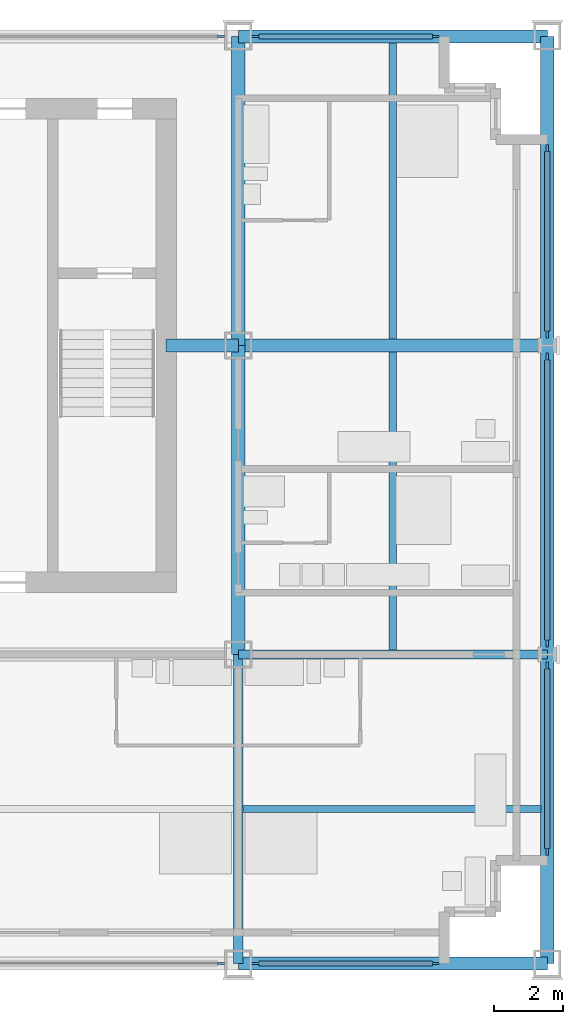
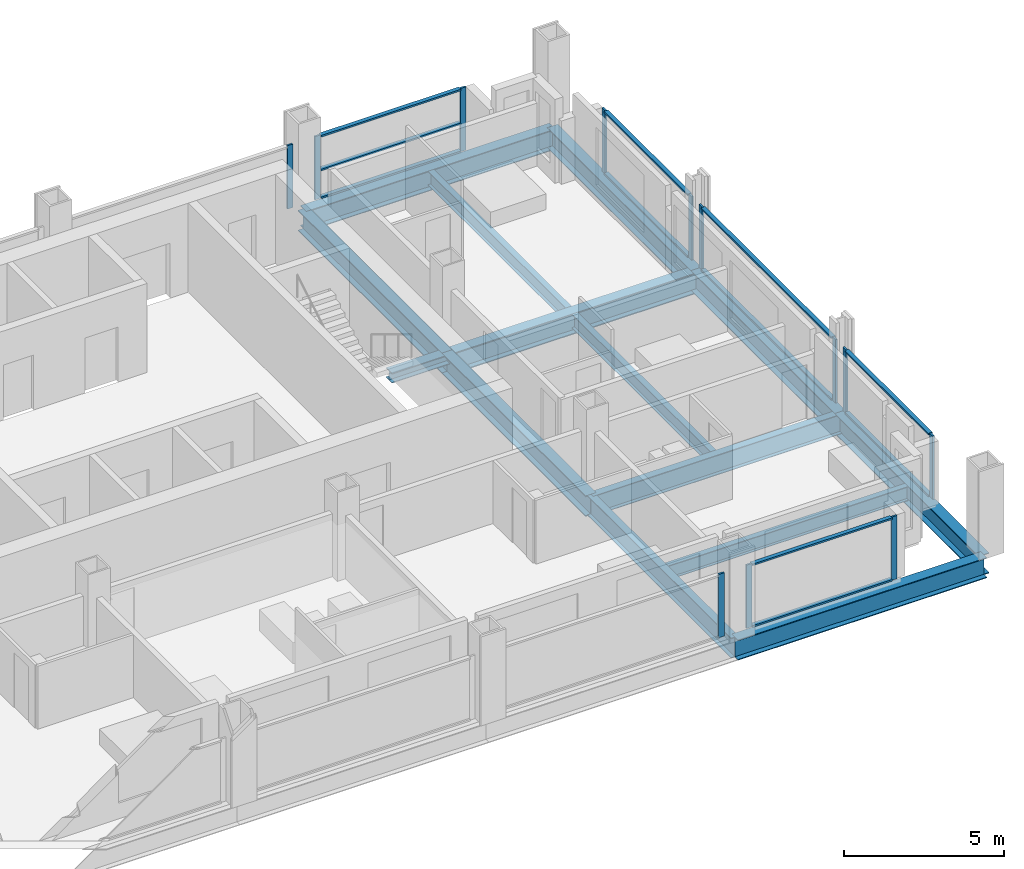
# One storey, part 5 of 13: 24 members, 13 beams, 7 elements without a shape of their own.
"""IFC4 building model written with IfcOpenShell, lengths in metres."""

from ifc_helpers import new_model, si_unit, direction, frame, origin, origin_2d, place, context, subcontext, project, spatial, rectangle, i_section, extrude, material, material_profile, profile_set, type_object, element, aggregate, save


model = new_model("IFC4")

# Units and contexts
model_context = context("Model", 3, precision=1e-05, world=origin(), true_north=direction((0.0, 1.0)))
body_context = subcontext(model_context, "Body", "Model", "MODEL_VIEW")
ifc_project = project(units=[si_unit("LENGTHUNIT", "METRE"), si_unit("AREAUNIT", "SQUARE_METRE"), si_unit("VOLUMEUNIT", "CUBIC_METRE"), si_unit("PLANEANGLEUNIT", "RADIAN"), si_unit("MASSUNIT", "GRAM", prefix="KILO")], contexts=[model_context])

# Site, building, storey
site_placement = place(None, origin())
site = spatial("IfcSite", under=ifc_project, at=site_placement, CompositionType="ELEMENT")
building_placement = place(site_placement, origin())
building = spatial("IfcBuilding", under=site, at=building_placement, Name="Loomwork Tower", CompositionType="ELEMENT")
storey_placement = place(building_placement, frame((0.0, 0.0, 174.0)))
storey = spatial("IfcBuildingStorey", under=building, at=storey_placement, Name="L47", CompositionType="ELEMENT", Elevation=174.0)

# Beams
ifc_material_1 = material(Name="Steel ASTM A992", Category="steel")
ifc_material_profile_1 = material_profile(ifc_material_1, i_section(OverallWidth=0.383544921875, OverallDepth=0.794921875, WebThickness=0.02099609375, FlangeThickness=0.0380859375, at=origin_2d()), Name="W30x235")
ifc_profile_set_1 = profile_set([ifc_material_profile_1], Name="Steel ASTM A992")
beam_type_1 = type_object("IfcBeamType", Name="CORE FLANK GIRDER W30x235", PredefinedType="BEAM", material=ifc_profile_set_1)
for number, where, z_axis, x_axis, name in (
    (1, (36.0, 18.0, -0.597412109375), (1.0, 0.0, 0.0), (0.0, 1.0, 0.0), "Core Flank Girder F/6-F/7 L47"),
    (2, (36.0, 9.0, -0.597412109375), (0.0, 1.0, 0.0), (-1.0, 0.0, 0.0), "Core Flank Girder E/6-F/6 L47"),
    (3, (36.0, 18.0, -0.597412109375), (0.0, 1.0, 0.0), (-1.0, 0.0, 0.0), "Core Flank Girder F/6-G/6 L47"),
):
    element("IfcBeam", number, at=place(storey_placement, frame(where, z_axis=z_axis, x_axis=x_axis)), inside=storey, type_object=beam_type_1, Name=name, PredefinedType="BEAM", context=body_context, shape_type="SweptSolid", body=[
        extrude(i_section(OverallWidth=0.383544921875, OverallDepth=0.794921875, WebThickness=0.02099609375, FlangeThickness=0.0380859375, at=origin_2d()), origin(), (0.0, 0.0, 1.0), 9.0),
    ])

# Member
ifc_material_2 = material(Name="Steel ASTM A992", Category="steel")
ifc_material_profile_2 = material_profile(ifc_material_2, i_section(OverallWidth=0.373291015625, OverallDepth=0.373291015625, WebThickness=0.016357421875, FlangeThickness=0.026123046875, at=origin_2d()), Name="W14x132")
ifc_profile_set_2 = profile_set([ifc_material_profile_2], Name="Steel ASTM A992")
member_type_1 = type_object("IfcMemberType", Name="CORE LINK STRUT W14x132", PredefinedType="STRUT", material=ifc_profile_set_2)
member_1_placement = place(storey_placement, frame((36.0, 18.0, -0.38671875), z_axis=(-1.0, 0.0, 0.0), x_axis=(0.0, -1.0, 0.0)))
element("IfcMember", 4, at=member_1_placement, inside=storey, type_object=member_type_1, Name="Core link strut F/6-33.900,18.000 L47", PredefinedType="STRUT", context=body_context, shape_type="SweptSolid", body=[
    extrude(i_section(OverallWidth=0.373291015625, OverallDepth=0.373291015625, WebThickness=0.016357421875, FlangeThickness=0.026123046875, at=origin_2d()), origin(), (0.0, 0.0, 1.0), 2.10009765625),
])

# Beams
ifc_material_3 = material(Name="Steel ASTM A992", Category="steel")
ifc_material_profile_3 = material_profile(ifc_material_3, i_section(OverallWidth=0.2666015625, OverallDepth=0.761962890625, WebThickness=0.014404296875, FlangeThickness=0.021484375, at=origin_2d()), Name="W30x116")
ifc_profile_set_3 = profile_set([ifc_material_profile_3], Name="Steel ASTM A992")
beam_type_2 = type_object("IfcBeamType", Name="FLOOR GIRDER W30x116", PredefinedType="BEAM", material=ifc_profile_set_3)
for number, where, z_axis, x_axis, name in (
    (5, (36.0, 9.0, -0.5810546875), (1.0, 0.0, 0.0), (0.0, 1.0, 0.0), "Floor Girder E/6-E/7 L47"),
    (6, (36.0, 0.0, -0.5810546875), (0.0, 1.0, 0.0), (-1.0, 0.0, 0.0), "Floor Girder D/6-E/6 L47"),
):
    element("IfcBeam", number, at=place(storey_placement, frame(where, z_axis=z_axis, x_axis=x_axis)), inside=storey, type_object=beam_type_2, Name=name, PredefinedType="BEAM", context=body_context, shape_type="SweptSolid", body=[
        extrude(i_section(OverallWidth=0.2666015625, OverallDepth=0.761962890625, WebThickness=0.014404296875, FlangeThickness=0.021484375, at=origin_2d()), origin(), (0.0, 0.0, 1.0), 9.0),
    ])
ifc_material_4 = material(Name="Steel ASTM A992", Category="steel")
ifc_material_profile_4 = material_profile(ifc_material_4, i_section(OverallWidth=0.2109375, OverallDepth=0.53857421875, WebThickness=0.011474609375, FlangeThickness=0.018798828125, at=origin_2d()), Name="W21x73")
ifc_profile_set_4 = profile_set([ifc_material_profile_4], Name="Steel ASTM A992")
beam_type_3 = type_object("IfcBeamType", Name="FLOOR JOIST W21x73", PredefinedType="JOIST", material=ifc_profile_set_4)
beam_1_placement = place(storey_placement, frame((36.133056640625, 4.5, -0.46923828125), z_axis=(1.0, 0.0, 0.0), x_axis=(0.0, 1.0, 0.0)))
element("IfcBeam", 7, at=beam_1_placement, inside=storey, type_object=beam_type_3, Name="Floor Joist 36.000,4.500-45.000,4.500 L47", PredefinedType="JOIST", context=body_context, shape_type="SweptSolid", body=[
    extrude(i_section(OverallWidth=0.2109375, OverallDepth=0.53857421875, WebThickness=0.011474609375, FlangeThickness=0.018798828125, at=origin_2d()), origin(), (0.0, 0.0, 1.0), 8.677001953125),
])
beam_2_placement = place(storey_placement, frame((40.5, 9.133056640625, -0.46923828125), z_axis=(0.0, 1.0, 0.0), x_axis=(-1.0, 0.0, 0.0)))
element("IfcBeam", 8, at=beam_2_placement, inside=storey, type_object=beam_type_3, Name="Floor Joist 40.500,9.000-40.500,18.000 L47", PredefinedType="JOIST", context=body_context, shape_type="SweptSolid", body=[
    extrude(i_section(OverallWidth=0.2109375, OverallDepth=0.53857421875, WebThickness=0.011474609375, FlangeThickness=0.018798828125, at=origin_2d()), origin(), (0.0, 0.0, 1.0), 8.676025390625),
])
beam_3_placement = place(storey_placement, frame((40.5, 18.19091796875, -0.46923828125), z_axis=(0.0, 1.0, 0.0), x_axis=(-1.0, 0.0, 0.0)))
element("IfcBeam", 9, at=beam_3_placement, inside=storey, type_object=beam_type_3, Name="Floor Joist 40.500,18.000-40.500,27.000 L47", PredefinedType="JOIST", context=body_context, shape_type="SweptSolid", body=[
    extrude(i_section(OverallWidth=0.2109375, OverallDepth=0.53857421875, WebThickness=0.011474609375, FlangeThickness=0.018798828125, at=origin_2d()), origin(), (0.0, 0.0, 1.0), 8.619140625),
])

# Curtain wall, member
ifc_material_5 = material(Name="Aluminium curtain wall frame", Category="aluminium")
curtain_wall_type_1 = type_object("IfcCurtainWallType", Name="Outer skin glazing hotel", PredefinedType="NOTDEFINED", material=ifc_material_5)
curtain_wall_1_placement = place(storey_placement, origin())
curtain_wall_1 = element("IfcCurtainWall", 10, at=curtain_wall_1_placement, inside=storey, type_object=curtain_wall_type_1, Name="Outer skin glazing hotel cw/S-27", PredefinedType="NOTDEFINED")
ifc_material_6 = material(Name="Aluminium curtain wall frame", Category="aluminium")
ifc_material_profile_5 = material_profile(ifc_material_6, rectangle(XDim=0.06494140625, YDim=0.199951171875, at=origin_2d()), Name="AL 65x200")
ifc_profile_set_5 = profile_set([ifc_material_profile_5], Name="Aluminium curtain wall frame")
member_type_2 = type_object("IfcMemberType", Name="Outer skin glazing hotel mullion", PredefinedType="MULLION", material=ifc_profile_set_5)
member_2_placement = place(storey_placement, frame((35.5, 0.0, 0.0), z_axis=(0.0, 0.0, 1.0), x_axis=(0.0, 1.0, 0.0)))
member_2 = element("IfcMember", 11, at=member_2_placement, type_object=member_type_2, Name="CW1 mullion 2", PredefinedType="MULLION", context=body_context, shape_type="SweptSolid", body=[
    extrude(rectangle(XDim=0.06494140625, YDim=0.199951171875, at=origin_2d()), origin(), (0.0, 0.0, 1.0), 2.420166015625),
])
aggregate(curtain_wall_1, [member_2])

# Curtain wall, members
curtain_wall_2_placement = place(storey_placement, origin())
curtain_wall_2 = element("IfcCurtainWall", 12, at=curtain_wall_2_placement, inside=storey, type_object=curtain_wall_type_1, Name="Outer skin glazing hotel cw/S-36", PredefinedType="NOTDEFINED")
member_3_placement = place(storey_placement, frame((36.5, 0.0, 0.0), z_axis=(0.0, 0.0, 1.0), x_axis=(0.0, 1.0, 0.0)))
member_3 = element("IfcMember", 13, at=member_3_placement, type_object=member_type_2, Name="CW1 mullion 1", PredefinedType="MULLION", context=body_context, shape_type="SweptSolid", body=[
    extrude(rectangle(XDim=0.06494140625, YDim=0.199951171875, at=origin_2d()), origin(), (0.0, 0.0, 1.0), 2.420166015625),
])
member_4_placement = place(storey_placement, frame((41.75, 0.0, 0.0), z_axis=(0.0, 0.0, 1.0), x_axis=(0.0, 1.0, 0.0)))
member_4 = element("IfcMember", 14, at=member_4_placement, type_object=member_type_2, Name="CW1 mullion 2", PredefinedType="MULLION", context=body_context, shape_type="SweptSolid", body=[
    extrude(rectangle(XDim=0.06494140625, YDim=0.199951171875, at=origin_2d()), origin(), (0.0, 0.0, 1.0), 2.420166015625),
])

curtain_wall_3_placement = place(storey_placement, origin())
curtain_wall_3 = element("IfcCurtainWall", 15, at=curtain_wall_3_placement, inside=storey, type_object=curtain_wall_type_1, Name="Outer skin glazing hotel cw/E-0", PredefinedType="NOTDEFINED")
member_5_placement = place(storey_placement, frame((45.0, 3.25, 0.0), z_axis=(0.0, 0.0, 1.0), x_axis=(-1.0, 0.0, 0.0)))
member_5 = element("IfcMember", 16, at=member_5_placement, type_object=member_type_2, Name="CW1 mullion 1", PredefinedType="MULLION", context=body_context, shape_type="SweptSolid", body=[
    extrude(rectangle(XDim=0.06494140625, YDim=0.199951171875, at=origin_2d()), origin(), (0.0, 0.0, 1.0), 2.420166015625),
])
member_6_placement = place(storey_placement, frame((45.0, 8.67529296875, 0.0), z_axis=(0.0, 0.0, 1.0), x_axis=(-1.0, 0.0, 0.0)))
member_6 = element("IfcMember", 17, at=member_6_placement, type_object=member_type_2, Name="CW1 mullion 2", PredefinedType="MULLION", context=body_context, shape_type="SweptSolid", body=[
    extrude(rectangle(XDim=0.06494140625, YDim=0.199951171875, at=origin_2d()), origin(), (0.0, 0.0, 1.0), 2.420166015625),
])

curtain_wall_4_placement = place(storey_placement, origin())
curtain_wall_4 = element("IfcCurtainWall", 18, at=curtain_wall_4_placement, inside=storey, type_object=curtain_wall_type_1, Name="Outer skin glazing hotel cw/E-9", PredefinedType="NOTDEFINED")
member_7_placement = place(storey_placement, frame((45.0, 9.32470703125, 0.0), z_axis=(0.0, 0.0, 1.0), x_axis=(-1.0, 0.0, 0.0)))
member_7 = element("IfcMember", 19, at=member_7_placement, type_object=member_type_2, Name="CW1 mullion 1", PredefinedType="MULLION", context=body_context, shape_type="SweptSolid", body=[
    extrude(rectangle(XDim=0.06494140625, YDim=0.199951171875, at=origin_2d()), origin(), (0.0, 0.0, 1.0), 2.420166015625),
])
member_8_placement = place(storey_placement, frame((45.0, 17.67529296875, 0.0), z_axis=(0.0, 0.0, 1.0), x_axis=(-1.0, 0.0, 0.0)))
member_8 = element("IfcMember", 20, at=member_8_placement, type_object=member_type_2, Name="CW1 mullion 2", PredefinedType="MULLION", context=body_context, shape_type="SweptSolid", body=[
    extrude(rectangle(XDim=0.06494140625, YDim=0.199951171875, at=origin_2d()), origin(), (0.0, 0.0, 1.0), 2.420166015625),
])

curtain_wall_5_placement = place(storey_placement, origin())
curtain_wall_5 = element("IfcCurtainWall", 21, at=curtain_wall_5_placement, inside=storey, type_object=curtain_wall_type_1, Name="Outer skin glazing hotel cw/E-18", PredefinedType="NOTDEFINED")
member_9_placement = place(storey_placement, frame((45.0, 18.32470703125, 0.0), z_axis=(0.0, 0.0, 1.0), x_axis=(-1.0, 0.0, 0.0)))
member_9 = element("IfcMember", 22, at=member_9_placement, type_object=member_type_2, Name="CW1 mullion 1", PredefinedType="MULLION", context=body_context, shape_type="SweptSolid", body=[
    extrude(rectangle(XDim=0.06494140625, YDim=0.199951171875, at=origin_2d()), origin(), (0.0, 0.0, 1.0), 2.420166015625),
])
member_10_placement = place(storey_placement, frame((45.0, 23.75, 0.0), z_axis=(0.0, 0.0, 1.0), x_axis=(-1.0, 0.0, 0.0)))
member_10 = element("IfcMember", 23, at=member_10_placement, type_object=member_type_2, Name="CW1 mullion 2", PredefinedType="MULLION", context=body_context, shape_type="SweptSolid", body=[
    extrude(rectangle(XDim=0.06494140625, YDim=0.199951171875, at=origin_2d()), origin(), (0.0, 0.0, 1.0), 2.420166015625),
])

# Member
ifc_material_7 = material(Name="Aluminium curtain wall frame", Category="aluminium")
ifc_material_profile_6 = material_profile(ifc_material_7, rectangle(XDim=0.14990234375, YDim=0.06494140625, at=origin_2d()), Name="AL 65x150")
ifc_profile_set_6 = profile_set([ifc_material_profile_6], Name="Aluminium curtain wall frame")
member_type_3 = type_object("IfcMemberType", Name="Outer skin glazing hotel transom", PredefinedType="USERDEFINED", material=ifc_profile_set_6)
member_11_placement = place(storey_placement, frame((36.60009765625, 0.0, 0.032470703125), z_axis=(1.0, 0.0, 0.0), x_axis=(0.0, 1.0, 0.0)))
member_11 = element("IfcMember", 24, at=member_11_placement, type_object=member_type_3, Name="CW1 transom 1.1", ObjectType="TRANSOM", PredefinedType="USERDEFINED", context=body_context, shape_type="SweptSolid", body=[
    extrude(rectangle(XDim=0.14990234375, YDim=0.06494140625, at=origin_2d()), origin(), (0.0, 0.0, 1.0), 5.0498046875),
])

member_12_placement = place(storey_placement, frame((36.60009765625, 0.0, 2.3876953125), z_axis=(1.0, 0.0, 0.0), x_axis=(0.0, 1.0, 0.0)))
member_12 = element("IfcMember", 25, at=member_12_placement, type_object=member_type_3, Name="CW1 transom 1.2", ObjectType="TRANSOM", PredefinedType="USERDEFINED", context=body_context, shape_type="SweptSolid", body=[
    extrude(rectangle(XDim=0.14990234375, YDim=0.06494140625, at=origin_2d()), origin(), (0.0, 0.0, 1.0), 5.0498046875),
])

aggregate(curtain_wall_2, [member_3, member_4, member_11, member_12])

member_13_placement = place(storey_placement, frame((45.0, 3.35009765625, 0.032470703125), z_axis=(0.0, 1.0, 0.0), x_axis=(-1.0, 0.0, 0.0)))
member_13 = element("IfcMember", 26, at=member_13_placement, type_object=member_type_3, Name="CW1 transom 1.1", ObjectType="TRANSOM", PredefinedType="USERDEFINED", context=body_context, shape_type="SweptSolid", body=[
    extrude(rectangle(XDim=0.14990234375, YDim=0.06494140625, at=origin_2d()), origin(), (0.0, 0.0, 1.0), 5.22509765625),
])

member_14_placement = place(storey_placement, frame((45.0, 3.35009765625, 2.3876953125), z_axis=(0.0, 1.0, 0.0), x_axis=(-1.0, 0.0, 0.0)))
member_14 = element("IfcMember", 27, at=member_14_placement, type_object=member_type_3, Name="CW1 transom 1.2", ObjectType="TRANSOM", PredefinedType="USERDEFINED", context=body_context, shape_type="SweptSolid", body=[
    extrude(rectangle(XDim=0.14990234375, YDim=0.06494140625, at=origin_2d()), origin(), (0.0, 0.0, 1.0), 5.22509765625),
])

aggregate(curtain_wall_3, [member_5, member_6, member_13, member_14])

member_15_placement = place(storey_placement, frame((45.0, 9.4248046875, 0.032470703125), z_axis=(0.0, 1.0, 0.0), x_axis=(-1.0, 0.0, 0.0)))
member_15 = element("IfcMember", 28, at=member_15_placement, type_object=member_type_3, Name="CW1 transom 1.1", ObjectType="TRANSOM", PredefinedType="USERDEFINED", context=body_context, shape_type="SweptSolid", body=[
    extrude(rectangle(XDim=0.14990234375, YDim=0.06494140625, at=origin_2d()), origin(), (0.0, 0.0, 1.0), 8.150390625),
])

member_16_placement = place(storey_placement, frame((45.0, 9.4248046875, 2.3876953125), z_axis=(0.0, 1.0, 0.0), x_axis=(-1.0, 0.0, 0.0)))
member_16 = element("IfcMember", 29, at=member_16_placement, type_object=member_type_3, Name="CW1 transom 1.2", ObjectType="TRANSOM", PredefinedType="USERDEFINED", context=body_context, shape_type="SweptSolid", body=[
    extrude(rectangle(XDim=0.14990234375, YDim=0.06494140625, at=origin_2d()), origin(), (0.0, 0.0, 1.0), 8.150390625),
])

aggregate(curtain_wall_4, [member_7, member_8, member_15, member_16])

member_17_placement = place(storey_placement, frame((45.0, 18.4248046875, 0.032470703125), z_axis=(0.0, 1.0, 0.0), x_axis=(-1.0, 0.0, 0.0)))
member_17 = element("IfcMember", 30, at=member_17_placement, type_object=member_type_3, Name="CW1 transom 1.1", ObjectType="TRANSOM", PredefinedType="USERDEFINED", context=body_context, shape_type="SweptSolid", body=[
    extrude(rectangle(XDim=0.14990234375, YDim=0.06494140625, at=origin_2d()), origin(), (0.0, 0.0, 1.0), 5.22509765625),
])

member_18_placement = place(storey_placement, frame((45.0, 18.4248046875, 2.3876953125), z_axis=(0.0, 1.0, 0.0), x_axis=(-1.0, 0.0, 0.0)))
member_18 = element("IfcMember", 31, at=member_18_placement, type_object=member_type_3, Name="CW1 transom 1.2", ObjectType="TRANSOM", PredefinedType="USERDEFINED", context=body_context, shape_type="SweptSolid", body=[
    extrude(rectangle(XDim=0.14990234375, YDim=0.06494140625, at=origin_2d()), origin(), (0.0, 0.0, 1.0), 5.22509765625),
])

aggregate(curtain_wall_5, [member_9, member_10, member_17, member_18])

# Beams
ifc_material_8 = material(Name="Steel ASTM A992", Category="steel")
ifc_material_profile_7 = material_profile(ifc_material_8, i_section(OverallWidth=0.381103515625, OverallDepth=0.77978515625, WebThickness=0.01806640625, FlangeThickness=0.0302734375, at=origin_2d()), Name="W30x191")
ifc_profile_set_7 = profile_set([ifc_material_profile_7], Name="Steel ASTM A992")
beam_type_4 = type_object("IfcBeamType", Name="SPANDREL GIRDER W30x191", PredefinedType="SPANDREL", material=ifc_profile_set_7)
for number, where, z_axis, x_axis, name in (
    (32, (36.0, 0.0, -0.58984375), (1.0, 0.0, 0.0), (0.0, 1.0, 0.0), "Spandrel Girder D/6-D/7 L47"),
    (33, (36.0, 27.0, -0.58984375), (1.0, 0.0, 0.0), (0.0, 1.0, 0.0), "Spandrel Girder G/6-G/7 L47"),
    (34, (45.0, 0.0, -0.58984375), (0.0, 1.0, 0.0), (-1.0, 0.0, 0.0), "Spandrel Girder D/7-E/7 L47"),
    (35, (45.0, 9.0, -0.58984375), (0.0, 1.0, 0.0), (-1.0, 0.0, 0.0), "Spandrel Girder E/7-F/7 L47"),
    (36, (45.0, 18.0, -0.58984375), (0.0, 1.0, 0.0), (-1.0, 0.0, 0.0), "Spandrel Girder F/7-G/7 L47"),
):
    element("IfcBeam", number, at=place(storey_placement, frame(where, z_axis=z_axis, x_axis=x_axis)), inside=storey, type_object=beam_type_4, Name=name, PredefinedType="SPANDREL", context=body_context, shape_type="SweptSolid", body=[
        extrude(i_section(OverallWidth=0.381103515625, OverallDepth=0.77978515625, WebThickness=0.01806640625, FlangeThickness=0.0302734375, at=origin_2d()), origin(), (0.0, 0.0, 1.0), 9.0),
    ])

# Curtain wall, member
ifc_material_9 = material(Name="Aluminium curtain wall frame", Category="aluminium")
curtain_wall_type_2 = type_object("IfcCurtainWallType", Name="Single skin glazing corridor", PredefinedType="NOTDEFINED", material=ifc_material_9)
curtain_wall_6_placement = place(storey_placement, origin())
curtain_wall_6 = element("IfcCurtainWall", 37, at=curtain_wall_6_placement, inside=storey, type_object=curtain_wall_type_2, Name="Single skin glazing corridor cw/N-27", PredefinedType="NOTDEFINED")
ifc_material_10 = material(Name="Aluminium curtain wall frame", Category="aluminium")
ifc_material_profile_8 = material_profile(ifc_material_10, rectangle(XDim=0.06494140625, YDim=0.199951171875, at=origin_2d()), Name="AL 65x200")
ifc_profile_set_8 = profile_set([ifc_material_profile_8], Name="Aluminium curtain wall frame")
member_type_4 = type_object("IfcMemberType", Name="Single skin glazing corridor mullion", PredefinedType="MULLION", material=ifc_profile_set_8)
member_19_placement = place(storey_placement, frame((35.5, 27.0, 0.0), z_axis=(0.0, 0.0, 1.0), x_axis=(0.0, -1.0, 0.0)))
member_19 = element("IfcMember", 38, at=member_19_placement, type_object=member_type_4, Name="CW3 mullion 1", PredefinedType="MULLION", context=body_context, shape_type="SweptSolid", body=[
    extrude(rectangle(XDim=0.06494140625, YDim=0.199951171875, at=origin_2d()), origin(), (0.0, 0.0, 1.0), 2.420166015625),
])
aggregate(curtain_wall_6, [member_19])

# Curtain wall, members
curtain_wall_7_placement = place(storey_placement, origin())
curtain_wall_7 = element("IfcCurtainWall", 39, at=curtain_wall_7_placement, inside=storey, type_object=curtain_wall_type_2, Name="Single skin glazing corridor cw/N-36", PredefinedType="NOTDEFINED")
member_20_placement = place(storey_placement, frame((41.75, 27.0, 0.0), z_axis=(0.0, 0.0, 1.0), x_axis=(0.0, -1.0, 0.0)))
member_20 = element("IfcMember", 40, at=member_20_placement, type_object=member_type_4, Name="CW3 mullion 1", PredefinedType="MULLION", context=body_context, shape_type="SweptSolid", body=[
    extrude(rectangle(XDim=0.06494140625, YDim=0.199951171875, at=origin_2d()), origin(), (0.0, 0.0, 1.0), 2.420166015625),
])
member_21_placement = place(storey_placement, frame((36.5, 27.0, 0.0), z_axis=(0.0, 0.0, 1.0), x_axis=(0.0, -1.0, 0.0)))
member_21 = element("IfcMember", 41, at=member_21_placement, type_object=member_type_4, Name="CW3 mullion 2", PredefinedType="MULLION", context=body_context, shape_type="SweptSolid", body=[
    extrude(rectangle(XDim=0.06494140625, YDim=0.199951171875, at=origin_2d()), origin(), (0.0, 0.0, 1.0), 2.420166015625),
])
ifc_material_11 = material(Name="Aluminium curtain wall frame", Category="aluminium")
ifc_material_profile_9 = material_profile(ifc_material_11, rectangle(XDim=0.14990234375, YDim=0.06494140625, at=origin_2d()), Name="AL 65x150")
ifc_profile_set_9 = profile_set([ifc_material_profile_9], Name="Aluminium curtain wall frame")
member_type_5 = type_object("IfcMemberType", Name="Single skin glazing corridor transom", PredefinedType="USERDEFINED", material=ifc_profile_set_9)
member_22_placement = place(storey_placement, frame((41.64990234375, 27.0, 0.032470703125), z_axis=(-1.0, 0.0, 0.0), x_axis=(0.0, -1.0, 0.0)))
member_22 = element("IfcMember", 42, at=member_22_placement, type_object=member_type_5, Name="CW3 transom 1.1", ObjectType="TRANSOM", PredefinedType="USERDEFINED", context=body_context, shape_type="SweptSolid", body=[
    extrude(rectangle(XDim=0.14990234375, YDim=0.06494140625, at=origin_2d()), origin(), (0.0, 0.0, 1.0), 5.0498046875),
])
member_23_placement = place(storey_placement, frame((41.64990234375, 27.0, 1.10009765625), z_axis=(-1.0, 0.0, 0.0), x_axis=(0.0, -1.0, 0.0)))
member_23 = element("IfcMember", 43, at=member_23_placement, type_object=member_type_5, Name="CW3 transom 1.2", ObjectType="TRANSOM", PredefinedType="USERDEFINED", context=body_context, shape_type="SweptSolid", body=[
    extrude(rectangle(XDim=0.14990234375, YDim=0.06494140625, at=origin_2d()), origin(), (0.0, 0.0, 1.0), 5.0498046875),
])
member_24_placement = place(storey_placement, frame((41.64990234375, 27.0, 2.3876953125), z_axis=(-1.0, 0.0, 0.0), x_axis=(0.0, -1.0, 0.0)))
member_24 = element("IfcMember", 44, at=member_24_placement, type_object=member_type_5, Name="CW3 transom 1.3", ObjectType="TRANSOM", PredefinedType="USERDEFINED", context=body_context, shape_type="SweptSolid", body=[
    extrude(rectangle(XDim=0.14990234375, YDim=0.06494140625, at=origin_2d()), origin(), (0.0, 0.0, 1.0), 5.0498046875),
])
aggregate(curtain_wall_7, [member_20, member_21, member_22, member_23, member_24])

save(model, "model.ifc")
